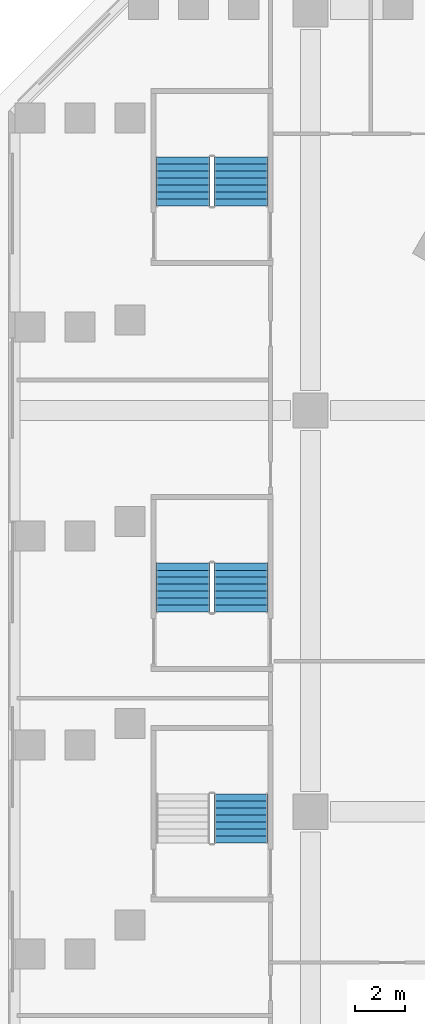
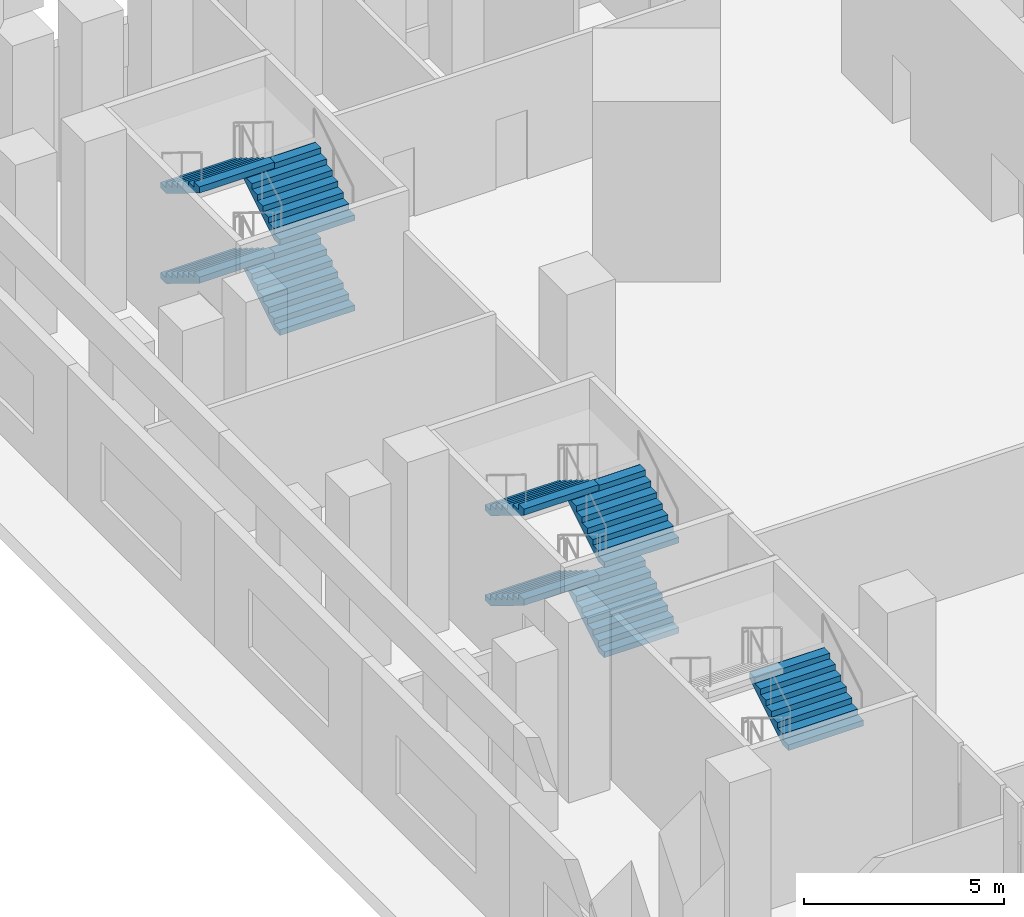
# One storey, part 14 of 22: 9 stair flights, 3 elements without a shape of their own.
"""IFC4 building model written with IfcOpenShell, lengths in metres."""

from ifc_helpers import new_model, si_unit, direction, frame, origin, place, context, subcontext, project, spatial, faceted_brep, source, transform, mapped, material, type_object, element, aggregate, save


model = new_model("IFC4")

# Units and contexts
model_context = context("Model", 3, precision=1e-05, world=origin(), true_north=direction((0.0, 1.0)))
body_context = subcontext(model_context, "Body", "Model", "MODEL_VIEW")
ifc_project = project(units=[si_unit("LENGTHUNIT", "METRE"), si_unit("AREAUNIT", "SQUARE_METRE"), si_unit("VOLUMEUNIT", "CUBIC_METRE"), si_unit("PLANEANGLEUNIT", "RADIAN"), si_unit("MASSUNIT", "GRAM", prefix="KILO")], contexts=[model_context])

# Site, building, storey
site_placement = place(None, origin())
site = spatial("IfcSite", under=ifc_project, at=site_placement, CompositionType="ELEMENT")
building_placement = place(site_placement, origin())
building = spatial("IfcBuilding", under=site, at=building_placement, Name="Calabash Gate Tower", CompositionType="ELEMENT")
storey_placement = place(building_placement, frame((0.0, 0.0, 29.0)))
storey = spatial("IfcBuildingStorey", under=building, at=storey_placement, Name="L03", CompositionType="ELEMENT", Elevation=29.0)

# Stair, stair flight
ifc_material_1 = material(Name="Concrete C40/50", Category="concrete")
stair_type = type_object("IfcStairType", Name="Public stair 32 risers of 171.9 mm", PredefinedType="HALF_TURN_STAIR", material=ifc_material_1)
stair_1_placement = place(storey_placement, origin())
stair_1 = element("IfcStair", 1, at=stair_1_placement, inside=storey, type_object=stair_type, Name="L03 Public Stair PS3", PredefinedType="HALF_TURN_STAIR")
ifc_material_2 = material(Name="Concrete C40/50", Category="concrete")
stair_flight_type = type_object("IfcStairFlightType", Name="Exit stair flight SFL", PredefinedType="STRAIGHT", material=ifc_material_2)
shared_shape = source(origin(), body_context, "Body", "Brep", [
    faceted_brep([(-0.0009765625, -1.080078125, 0.0), (0.285888671875, -1.080078125, 0.0), (1.9541015625, -1.080078125, 1.027099609375), (-0.0009765625, 1.080078125, 0.0), (1.9541015625, 1.080078125, 1.027099609375), (0.285888671875, 1.080078125, 0.0), (1.9541015625, -1.080078125, 1.215087890625), (1.952880859375, -1.080078125, 1.215087890625), (1.952880859375, 1.080078125, 1.215087890625), (1.9541015625, 1.080078125, 1.215087890625), (1.952880859375, -1.080078125, 1.203125), (1.952880859375, 1.080078125, 1.203125), (1.674072265625, -1.080078125, 1.203125), (1.674072265625, 1.080078125, 1.203125), (1.674072265625, -1.080078125, 1.03125), (1.674072265625, 1.080078125, 1.03125), (1.39501953125, -1.080078125, 1.03125), (1.39501953125, 1.080078125, 1.03125), (1.39501953125, -1.080078125, 0.859375), (1.39501953125, 1.080078125, 0.859375), (1.115966796875, -1.080078125, 0.859375), (1.115966796875, -1.080078125, 0.6875), (1.115966796875, 1.080078125, 0.6875), (1.115966796875, 1.080078125, 0.859375), (0.8369140625, -1.080078125, 0.6875), (0.8369140625, -1.080078125, 0.515625), (0.8369140625, 1.080078125, 0.515625), (0.8369140625, 1.080078125, 0.6875), (0.55810546875, -1.080078125, 0.515625), (0.55810546875, -1.080078125, 0.34375), (0.55810546875, 1.080078125, 0.34375), (0.55810546875, 1.080078125, 0.515625), (0.279052734375, -1.080078125, 0.34375), (0.279052734375, -1.080078125, 0.171875), (0.279052734375, 1.080078125, 0.171875), (0.279052734375, 1.080078125, 0.34375), (-0.0009765625, -1.080078125, 0.171875), (-0.0009765625, 1.080078125, 0.171875), (0.285888671875, -0.431884765625, 0.0), (1.9541015625, -0.431884765625, 1.027099609375), (0.285888671875, -0.370361328125, 0.0), (1.9541015625, -0.370361328125, 1.027099609375), (0.285888671875, -0.30859375, 0.0), (1.9541015625, -0.30859375, 1.027099609375), (0.285888671875, -0.246826171875, 0.0), (1.9541015625, -0.246826171875, 1.027099609375), (0.285888671875, -0.18505859375, 0.0), (1.9541015625, -0.18505859375, 1.027099609375), (0.285888671875, -0.12353515625, 0.0), (1.9541015625, -0.12353515625, 1.027099609375), (0.285888671875, -0.061767578125, 0.0), (1.9541015625, -0.061767578125, 1.027099609375), (0.285888671875, 0.0, 0.0), (1.9541015625, 0.0, 1.027099609375), (0.285888671875, 0.061767578125, 0.0), (1.9541015625, 0.061767578125, 1.027099609375), (0.285888671875, 0.12353515625, 0.0), (1.9541015625, 0.12353515625, 1.027099609375), (0.285888671875, 0.18505859375, 0.0), (1.9541015625, 0.18505859375, 1.027099609375), (0.285888671875, 0.246826171875, 0.0), (1.9541015625, 0.246826171875, 1.027099609375), (0.285888671875, 0.30859375, 0.0), (1.9541015625, 0.30859375, 1.027099609375), (0.285888671875, 0.370361328125, 0.0), (1.9541015625, 0.370361328125, 1.027099609375), (0.285888671875, 0.431884765625, 0.0), (1.9541015625, 0.431884765625, 1.027099609375), (1.9541015625, -0.431884765625, 1.215087890625), (1.9541015625, -0.370361328125, 1.215087890625), (1.9541015625, -0.30859375, 1.215087890625), (1.9541015625, -0.246826171875, 1.215087890625), (1.9541015625, -0.18505859375, 1.215087890625), (1.9541015625, -0.12353515625, 1.215087890625), (1.9541015625, -0.061767578125, 1.215087890625), (1.9541015625, 0.0, 1.215087890625), (1.9541015625, 0.061767578125, 1.215087890625), (1.9541015625, 0.12353515625, 1.215087890625), (1.9541015625, 0.18505859375, 1.215087890625), (1.9541015625, 0.246826171875, 1.215087890625), (1.9541015625, 0.30859375, 1.215087890625), (1.9541015625, 0.370361328125, 1.215087890625), (1.9541015625, 0.431884765625, 1.215087890625), (1.952880859375, -0.431884765625, 1.215087890625), (1.952880859375, -0.370361328125, 1.215087890625), (1.952880859375, -0.30859375, 1.215087890625), (1.952880859375, -0.246826171875, 1.215087890625), (1.952880859375, -0.18505859375, 1.215087890625), (1.952880859375, -0.12353515625, 1.215087890625), (1.952880859375, -0.061767578125, 1.215087890625), (1.952880859375, 0.0, 1.215087890625), (1.952880859375, 0.061767578125, 1.215087890625), (1.952880859375, 0.12353515625, 1.215087890625), (1.952880859375, 0.18505859375, 1.215087890625), (1.952880859375, 0.246826171875, 1.215087890625), (1.952880859375, 0.30859375, 1.215087890625), (1.952880859375, 0.370361328125, 1.215087890625), (1.952880859375, 0.431884765625, 1.215087890625), (1.952880859375, -0.431884765625, 1.203125), (1.952880859375, -0.370361328125, 1.203125), (1.952880859375, -0.30859375, 1.203125), (1.952880859375, -0.246826171875, 1.203125), (1.952880859375, -0.18505859375, 1.203125), (1.952880859375, -0.12353515625, 1.203125), (1.952880859375, -0.061767578125, 1.203125), (1.952880859375, 0.0, 1.203125), (1.952880859375, 0.061767578125, 1.203125), (1.952880859375, 0.12353515625, 1.203125), (1.952880859375, 0.18505859375, 1.203125), (1.952880859375, 0.246826171875, 1.203125), (1.952880859375, 0.30859375, 1.203125), (1.952880859375, 0.370361328125, 1.203125), (1.952880859375, 0.431884765625, 1.203125), (1.674072265625, -0.431884765625, 1.203125), (1.674072265625, -0.370361328125, 1.203125), (1.674072265625, -0.30859375, 1.203125), (1.674072265625, -0.246826171875, 1.203125), (1.674072265625, -0.18505859375, 1.203125), (1.674072265625, -0.12353515625, 1.203125), (1.674072265625, -0.061767578125, 1.203125), (1.674072265625, 0.0, 1.203125), (1.674072265625, 0.061767578125, 1.203125), (1.674072265625, 0.12353515625, 1.203125), (1.674072265625, 0.18505859375, 1.203125), (1.674072265625, 0.246826171875, 1.203125), (1.674072265625, 0.30859375, 1.203125), (1.674072265625, 0.370361328125, 1.203125), (1.674072265625, 0.431884765625, 1.203125), (1.674072265625, -0.431884765625, 1.03125), (1.674072265625, -0.370361328125, 1.03125), (1.674072265625, -0.30859375, 1.03125), (1.674072265625, -0.246826171875, 1.03125), (1.674072265625, -0.18505859375, 1.03125), (1.674072265625, -0.12353515625, 1.03125), (1.674072265625, -0.061767578125, 1.03125), (1.674072265625, 0.0, 1.03125), (1.674072265625, 0.061767578125, 1.03125), (1.674072265625, 0.12353515625, 1.03125), (1.674072265625, 0.18505859375, 1.03125), (1.674072265625, 0.246826171875, 1.03125), (1.674072265625, 0.30859375, 1.03125), (1.674072265625, 0.370361328125, 1.03125), (1.674072265625, 0.431884765625, 1.03125), (1.39501953125, -0.431884765625, 1.03125), (1.39501953125, -0.370361328125, 1.03125), (1.39501953125, -0.30859375, 1.03125), (1.39501953125, -0.246826171875, 1.03125), (1.39501953125, -0.18505859375, 1.03125), (1.39501953125, -0.12353515625, 1.03125), (1.39501953125, -0.061767578125, 1.03125), (1.39501953125, 0.0, 1.03125), (1.39501953125, 0.061767578125, 1.03125), (1.39501953125, 0.12353515625, 1.03125), (1.39501953125, 0.18505859375, 1.03125), (1.39501953125, 0.246826171875, 1.03125), (1.39501953125, 0.30859375, 1.03125), (1.39501953125, 0.370361328125, 1.03125), (1.39501953125, 0.431884765625, 1.03125), (1.39501953125, -0.431884765625, 0.859375), (1.39501953125, -0.370361328125, 0.859375), (1.39501953125, -0.30859375, 0.859375), (1.39501953125, -0.246826171875, 0.859375), (1.39501953125, -0.18505859375, 0.859375), (1.39501953125, -0.12353515625, 0.859375), (1.39501953125, -0.061767578125, 0.859375), (1.39501953125, 0.0, 0.859375), (1.39501953125, 0.061767578125, 0.859375), (1.39501953125, 0.12353515625, 0.859375), (1.39501953125, 0.18505859375, 0.859375), (1.39501953125, 0.246826171875, 0.859375), (1.39501953125, 0.30859375, 0.859375), (1.39501953125, 0.370361328125, 0.859375), (1.39501953125, 0.431884765625, 0.859375), (1.115966796875, -0.431884765625, 0.859375), (1.115966796875, -0.370361328125, 0.859375), (1.115966796875, -0.30859375, 0.859375), (1.115966796875, -0.246826171875, 0.859375), (1.115966796875, -0.18505859375, 0.859375), (1.115966796875, -0.12353515625, 0.859375), (1.115966796875, -0.061767578125, 0.859375), (1.115966796875, 0.0, 0.859375), (1.115966796875, 0.061767578125, 0.859375), (1.115966796875, 0.12353515625, 0.859375), (1.115966796875, 0.18505859375, 0.859375), (1.115966796875, 0.246826171875, 0.859375), (1.115966796875, 0.30859375, 0.859375), (1.115966796875, 0.370361328125, 0.859375), (1.115966796875, 0.431884765625, 0.859375), (1.115966796875, -0.431884765625, 0.6875), (1.115966796875, -0.370361328125, 0.6875), (1.115966796875, -0.30859375, 0.6875), (1.115966796875, -0.246826171875, 0.6875), (1.115966796875, -0.18505859375, 0.6875), (1.115966796875, -0.12353515625, 0.6875), (1.115966796875, -0.061767578125, 0.6875), (1.115966796875, 0.0, 0.6875), (1.115966796875, 0.061767578125, 0.6875), (1.115966796875, 0.12353515625, 0.6875), (1.115966796875, 0.18505859375, 0.6875), (1.115966796875, 0.246826171875, 0.6875), (1.115966796875, 0.30859375, 0.6875), (1.115966796875, 0.370361328125, 0.6875), (1.115966796875, 0.431884765625, 0.6875), (0.8369140625, -0.431884765625, 0.6875), (0.8369140625, -0.370361328125, 0.6875), (0.8369140625, -0.30859375, 0.6875), (0.8369140625, -0.246826171875, 0.6875), (0.8369140625, -0.18505859375, 0.6875), (0.8369140625, -0.12353515625, 0.6875), (0.8369140625, -0.061767578125, 0.6875), (0.8369140625, 0.0, 0.6875), (0.8369140625, 0.061767578125, 0.6875), (0.8369140625, 0.12353515625, 0.6875), (0.8369140625, 0.18505859375, 0.6875), (0.8369140625, 0.246826171875, 0.6875), (0.8369140625, 0.30859375, 0.6875), (0.8369140625, 0.370361328125, 0.6875), (0.8369140625, 0.431884765625, 0.6875), (0.8369140625, -0.431884765625, 0.515625), (0.8369140625, -0.370361328125, 0.515625), (0.8369140625, -0.30859375, 0.515625), (0.8369140625, -0.246826171875, 0.515625), (0.8369140625, -0.18505859375, 0.515625), (0.8369140625, -0.12353515625, 0.515625), (0.8369140625, -0.061767578125, 0.515625), (0.8369140625, 0.0, 0.515625), (0.8369140625, 0.061767578125, 0.515625), (0.8369140625, 0.12353515625, 0.515625), (0.8369140625, 0.18505859375, 0.515625), (0.8369140625, 0.246826171875, 0.515625), (0.8369140625, 0.30859375, 0.515625), (0.8369140625, 0.370361328125, 0.515625), (0.8369140625, 0.431884765625, 0.515625), (0.55810546875, -0.431884765625, 0.515625), (0.55810546875, -0.370361328125, 0.515625), (0.55810546875, -0.30859375, 0.515625), (0.55810546875, -0.246826171875, 0.515625), (0.55810546875, -0.18505859375, 0.515625), (0.55810546875, -0.12353515625, 0.515625), (0.55810546875, -0.061767578125, 0.515625), (0.55810546875, 0.0, 0.515625), (0.55810546875, 0.061767578125, 0.515625), (0.55810546875, 0.12353515625, 0.515625), (0.55810546875, 0.18505859375, 0.515625), (0.55810546875, 0.246826171875, 0.515625), (0.55810546875, 0.30859375, 0.515625), (0.55810546875, 0.370361328125, 0.515625), (0.55810546875, 0.431884765625, 0.515625), (0.55810546875, -0.431884765625, 0.34375), (0.55810546875, -0.370361328125, 0.34375), (0.55810546875, -0.30859375, 0.34375), (0.55810546875, -0.246826171875, 0.34375), (0.55810546875, -0.18505859375, 0.34375), (0.55810546875, -0.12353515625, 0.34375), (0.55810546875, -0.061767578125, 0.34375), (0.55810546875, 0.0, 0.34375), (0.55810546875, 0.061767578125, 0.34375), (0.55810546875, 0.12353515625, 0.34375), (0.55810546875, 0.18505859375, 0.34375), (0.55810546875, 0.246826171875, 0.34375), (0.55810546875, 0.30859375, 0.34375), (0.55810546875, 0.370361328125, 0.34375), (0.55810546875, 0.431884765625, 0.34375), (0.279052734375, -0.431884765625, 0.34375), (0.279052734375, -0.370361328125, 0.34375), (0.279052734375, -0.30859375, 0.34375), (0.279052734375, -0.246826171875, 0.34375), (0.279052734375, -0.18505859375, 0.34375), (0.279052734375, -0.12353515625, 0.34375), (0.279052734375, -0.061767578125, 0.34375), (0.279052734375, 0.0, 0.34375), (0.279052734375, 0.061767578125, 0.34375), (0.279052734375, 0.12353515625, 0.34375), (0.279052734375, 0.18505859375, 0.34375), (0.279052734375, 0.246826171875, 0.34375), (0.279052734375, 0.30859375, 0.34375), (0.279052734375, 0.370361328125, 0.34375), (0.279052734375, 0.431884765625, 0.34375), (0.279052734375, -0.431884765625, 0.171875), (0.279052734375, -0.370361328125, 0.171875), (0.279052734375, -0.30859375, 0.171875), (0.279052734375, -0.246826171875, 0.171875), (0.279052734375, -0.18505859375, 0.171875), (0.279052734375, -0.12353515625, 0.171875), (0.279052734375, -0.061767578125, 0.171875), (0.279052734375, 0.0, 0.171875), (0.279052734375, 0.061767578125, 0.171875), (0.279052734375, 0.12353515625, 0.171875), (0.279052734375, 0.18505859375, 0.171875), (0.279052734375, 0.246826171875, 0.171875), (0.279052734375, 0.30859375, 0.171875), (0.279052734375, 0.370361328125, 0.171875), (0.279052734375, 0.431884765625, 0.171875), (-0.0009765625, -0.431884765625, 0.171875), (-0.0009765625, -0.370361328125, 0.171875), (-0.0009765625, -0.30859375, 0.171875), (-0.0009765625, -0.246826171875, 0.171875), (-0.0009765625, -0.18505859375, 0.171875), (-0.0009765625, -0.12353515625, 0.171875), (-0.0009765625, -0.061767578125, 0.171875), (-0.0009765625, 0.0, 0.171875), (-0.0009765625, 0.061767578125, 0.171875), (-0.0009765625, 0.12353515625, 0.171875), (-0.0009765625, 0.18505859375, 0.171875), (-0.0009765625, 0.246826171875, 0.171875), (-0.0009765625, 0.30859375, 0.171875), (-0.0009765625, 0.370361328125, 0.171875), (-0.0009765625, 0.431884765625, 0.171875), (-0.0009765625, -0.431884765625, 0.0), (-0.0009765625, -0.370361328125, 0.0), (-0.0009765625, -0.30859375, 0.0), (-0.0009765625, -0.246826171875, 0.0), (-0.0009765625, -0.18505859375, 0.0), (-0.0009765625, -0.12353515625, 0.0), (-0.0009765625, -0.061767578125, 0.0), (-0.0009765625, 0.0, 0.0), (-0.0009765625, 0.061767578125, 0.0), (-0.0009765625, 0.12353515625, 0.0), (-0.0009765625, 0.18505859375, 0.0), (-0.0009765625, 0.246826171875, 0.0), (-0.0009765625, 0.30859375, 0.0), (-0.0009765625, 0.370361328125, 0.0), (-0.0009765625, 0.431884765625, 0.0)], [[[0, 1, 2]], [[3, 4, 5]], [[2, 6, 7]], [[4, 8, 9]], [[2, 7, 10]], [[4, 11, 8]], [[2, 10, 12]], [[4, 13, 11]], [[2, 12, 14]], [[4, 15, 13]], [[2, 14, 16]], [[4, 17, 15]], [[2, 16, 18]], [[4, 19, 17]], [[18, 20, 21]], [[19, 22, 23]], [[2, 18, 21]], [[4, 22, 19]], [[21, 24, 25]], [[22, 26, 27]], [[2, 21, 25]], [[4, 26, 22]], [[25, 28, 29]], [[26, 30, 31]], [[2, 25, 29]], [[4, 30, 26]], [[29, 32, 33]], [[30, 34, 35]], [[2, 29, 33]], [[4, 34, 30]], [[0, 2, 33]], [[3, 34, 4]], [[33, 36, 0]], [[34, 3, 37]], [[1, 38, 2]], [[38, 39, 2]], [[38, 40, 39]], [[40, 41, 39]], [[40, 42, 41]], [[42, 43, 41]], [[42, 44, 43]], [[44, 45, 43]], [[44, 46, 45]], [[46, 47, 45]], [[46, 48, 47]], [[48, 49, 47]], [[48, 50, 49]], [[50, 51, 49]], [[50, 52, 51]], [[52, 53, 51]], [[52, 54, 55]], [[52, 55, 53]], [[54, 56, 57]], [[54, 57, 55]], [[56, 58, 59]], [[56, 59, 57]], [[58, 60, 61]], [[58, 61, 59]], [[60, 62, 63]], [[60, 63, 61]], [[62, 64, 65]], [[62, 65, 63]], [[64, 66, 67]], [[64, 67, 65]], [[66, 5, 4]], [[66, 4, 67]], [[2, 39, 6]], [[39, 68, 6]], [[39, 41, 68]], [[41, 69, 68]], [[41, 43, 69]], [[43, 70, 69]], [[43, 45, 70]], [[45, 71, 70]], [[45, 47, 71]], [[47, 72, 71]], [[47, 49, 72]], [[49, 73, 72]], [[49, 51, 73]], [[51, 74, 73]], [[51, 53, 74]], [[53, 75, 74]], [[53, 55, 76]], [[53, 76, 75]], [[55, 57, 77]], [[55, 77, 76]], [[57, 59, 78]], [[57, 78, 77]], [[59, 61, 79]], [[59, 79, 78]], [[61, 63, 80]], [[61, 80, 79]], [[63, 65, 81]], [[63, 81, 80]], [[65, 67, 82]], [[65, 82, 81]], [[67, 4, 9]], [[67, 9, 82]], [[6, 68, 7]], [[68, 83, 7]], [[68, 69, 83]], [[69, 84, 83]], [[69, 70, 84]], [[70, 85, 84]], [[70, 71, 85]], [[71, 86, 85]], [[71, 72, 86]], [[72, 87, 86]], [[72, 73, 87]], [[73, 88, 87]], [[73, 74, 88]], [[74, 89, 88]], [[74, 75, 89]], [[75, 90, 89]], [[75, 76, 91]], [[75, 91, 90]], [[76, 77, 92]], [[76, 92, 91]], [[77, 78, 93]], [[77, 93, 92]], [[78, 79, 94]], [[78, 94, 93]], [[79, 80, 95]], [[79, 95, 94]], [[80, 81, 96]], [[80, 96, 95]], [[81, 82, 97]], [[81, 97, 96]], [[82, 9, 8]], [[82, 8, 97]], [[7, 83, 10]], [[83, 98, 10]], [[83, 84, 98]], [[84, 99, 98]], [[84, 85, 99]], [[85, 100, 99]], [[85, 86, 100]], [[86, 101, 100]], [[86, 87, 101]], [[87, 102, 101]], [[87, 88, 102]], [[88, 103, 102]], [[88, 89, 103]], [[89, 104, 103]], [[89, 90, 104]], [[90, 105, 104]], [[90, 91, 106]], [[90, 106, 105]], [[91, 92, 107]], [[91, 107, 106]], [[92, 93, 108]], [[92, 108, 107]], [[93, 94, 109]], [[93, 109, 108]], [[94, 95, 110]], [[94, 110, 109]], [[95, 96, 111]], [[95, 111, 110]], [[96, 97, 112]], [[96, 112, 111]], [[97, 8, 11]], [[97, 11, 112]], [[10, 98, 12]], [[98, 113, 12]], [[98, 99, 113]], [[99, 114, 113]], [[99, 100, 114]], [[100, 115, 114]], [[100, 101, 115]], [[101, 116, 115]], [[101, 102, 116]], [[102, 117, 116]], [[102, 103, 117]], [[103, 118, 117]], [[103, 104, 118]], [[104, 119, 118]], [[104, 105, 119]], [[105, 120, 119]], [[105, 106, 121]], [[105, 121, 120]], [[106, 107, 122]], [[106, 122, 121]], [[107, 108, 123]], [[107, 123, 122]], [[108, 109, 124]], [[108, 124, 123]], [[109, 110, 125]], [[109, 125, 124]], [[110, 111, 126]], [[110, 126, 125]], [[111, 112, 127]], [[111, 127, 126]], [[112, 11, 13]], [[112, 13, 127]], [[12, 113, 14]], [[113, 128, 14]], [[113, 114, 128]], [[114, 129, 128]], [[114, 115, 129]], [[115, 130, 129]], [[115, 116, 130]], [[116, 131, 130]], [[116, 117, 131]], [[117, 132, 131]], [[117, 118, 132]], [[118, 133, 132]], [[118, 119, 133]], [[119, 134, 133]], [[119, 120, 134]], [[120, 135, 134]], [[120, 121, 136]], [[120, 136, 135]], [[121, 122, 137]], [[121, 137, 136]], [[122, 123, 138]], [[122, 138, 137]], [[123, 124, 139]], [[123, 139, 138]], [[124, 125, 140]], [[124, 140, 139]], [[125, 126, 141]], [[125, 141, 140]], [[126, 127, 142]], [[126, 142, 141]], [[127, 13, 15]], [[127, 15, 142]], [[14, 128, 16]], [[128, 143, 16]], [[128, 129, 143]], [[129, 144, 143]], [[129, 130, 144]], [[130, 145, 144]], [[130, 131, 145]], [[131, 146, 145]], [[131, 132, 146]], [[132, 147, 146]], [[132, 133, 147]], [[133, 148, 147]], [[133, 134, 148]], [[134, 149, 148]], [[134, 135, 149]], [[135, 150, 149]], [[135, 136, 151]], [[135, 151, 150]], [[136, 137, 152]], [[136, 152, 151]], [[137, 138, 153]], [[137, 153, 152]], [[138, 139, 154]], [[138, 154, 153]], [[139, 140, 155]], [[139, 155, 154]], [[140, 141, 156]], [[140, 156, 155]], [[141, 142, 157]], [[141, 157, 156]], [[142, 15, 17]], [[142, 17, 157]], [[16, 143, 18]], [[143, 158, 18]], [[143, 144, 158]], [[144, 159, 158]], [[144, 145, 159]], [[145, 160, 159]], [[145, 146, 160]], [[146, 161, 160]], [[146, 147, 161]], [[147, 162, 161]], [[147, 148, 162]], [[148, 163, 162]], [[148, 149, 163]], [[149, 164, 163]], [[149, 150, 164]], [[150, 165, 164]], [[150, 151, 166]], [[150, 166, 165]], [[151, 152, 167]], [[151, 167, 166]], [[152, 153, 168]], [[152, 168, 167]], [[153, 154, 169]], [[153, 169, 168]], [[154, 155, 170]], [[154, 170, 169]], [[155, 156, 171]], [[155, 171, 170]], [[156, 157, 172]], [[156, 172, 171]], [[157, 17, 19]], [[157, 19, 172]], [[18, 158, 20]], [[158, 173, 20]], [[158, 159, 173]], [[159, 174, 173]], [[159, 160, 174]], [[160, 175, 174]], [[160, 161, 175]], [[161, 176, 175]], [[161, 162, 176]], [[162, 177, 176]], [[162, 163, 177]], [[163, 178, 177]], [[163, 164, 178]], [[164, 179, 178]], [[164, 165, 179]], [[165, 180, 179]], [[165, 166, 181]], [[165, 181, 180]], [[166, 167, 182]], [[166, 182, 181]], [[167, 168, 183]], [[167, 183, 182]], [[168, 169, 184]], [[168, 184, 183]], [[169, 170, 185]], [[169, 185, 184]], [[170, 171, 186]], [[170, 186, 185]], [[171, 172, 187]], [[171, 187, 186]], [[172, 19, 23]], [[172, 23, 187]], [[20, 173, 21]], [[173, 188, 21]], [[173, 174, 188]], [[174, 189, 188]], [[174, 175, 189]], [[175, 190, 189]], [[175, 176, 190]], [[176, 191, 190]], [[176, 177, 191]], [[177, 192, 191]], [[177, 178, 192]], [[178, 193, 192]], [[178, 179, 193]], [[179, 194, 193]], [[179, 180, 194]], [[180, 195, 194]], [[180, 181, 196]], [[180, 196, 195]], [[181, 182, 197]], [[181, 197, 196]], [[182, 183, 198]], [[182, 198, 197]], [[183, 184, 199]], [[183, 199, 198]], [[184, 185, 200]], [[184, 200, 199]], [[185, 186, 201]], [[185, 201, 200]], [[186, 187, 202]], [[186, 202, 201]], [[187, 23, 22]], [[187, 22, 202]], [[21, 188, 24]], [[188, 203, 24]], [[188, 189, 203]], [[189, 204, 203]], [[189, 190, 204]], [[190, 205, 204]], [[190, 191, 205]], [[191, 206, 205]], [[191, 192, 206]], [[192, 207, 206]], [[192, 193, 207]], [[193, 208, 207]], [[193, 194, 208]], [[194, 209, 208]], [[194, 195, 209]], [[195, 210, 209]], [[195, 196, 211]], [[195, 211, 210]], [[196, 197, 212]], [[196, 212, 211]], [[197, 198, 213]], [[197, 213, 212]], [[198, 199, 214]], [[198, 214, 213]], [[199, 200, 215]], [[199, 215, 214]], [[200, 201, 216]], [[200, 216, 215]], [[201, 202, 217]], [[201, 217, 216]], [[202, 22, 27]], [[202, 27, 217]], [[24, 203, 25]], [[203, 218, 25]], [[203, 204, 218]], [[204, 219, 218]], [[204, 205, 219]], [[205, 220, 219]], [[205, 206, 220]], [[206, 221, 220]], [[206, 207, 221]], [[207, 222, 221]], [[207, 208, 222]], [[208, 223, 222]], [[208, 209, 223]], [[209, 224, 223]], [[209, 210, 224]], [[210, 225, 224]], [[210, 211, 226]], [[210, 226, 225]], [[211, 212, 227]], [[211, 227, 226]], [[212, 213, 228]], [[212, 228, 227]], [[213, 214, 229]], [[213, 229, 228]], [[214, 215, 230]], [[214, 230, 229]], [[215, 216, 231]], [[215, 231, 230]], [[216, 217, 232]], [[216, 232, 231]], [[217, 27, 26]], [[217, 26, 232]], [[25, 218, 28]], [[218, 233, 28]], [[218, 219, 233]], [[219, 234, 233]], [[219, 220, 234]], [[220, 235, 234]], [[220, 221, 235]], [[221, 236, 235]], [[221, 222, 236]], [[222, 237, 236]], [[222, 223, 237]], [[223, 238, 237]], [[223, 224, 238]], [[224, 239, 238]], [[224, 225, 239]], [[225, 240, 239]], [[225, 226, 241]], [[225, 241, 240]], [[226, 227, 242]], [[226, 242, 241]], [[227, 228, 243]], [[227, 243, 242]], [[228, 229, 244]], [[228, 244, 243]], [[229, 230, 245]], [[229, 245, 244]], [[230, 231, 246]], [[230, 246, 245]], [[231, 232, 247]], [[231, 247, 246]], [[232, 26, 31]], [[232, 31, 247]], [[28, 233, 29]], [[233, 248, 29]], [[233, 234, 248]], [[234, 249, 248]], [[234, 235, 249]], [[235, 250, 249]], [[235, 236, 250]], [[236, 251, 250]], [[236, 237, 251]], [[237, 252, 251]], [[237, 238, 252]], [[238, 253, 252]], [[238, 239, 253]], [[239, 254, 253]], [[239, 240, 254]], [[240, 255, 254]], [[240, 241, 256]], [[240, 256, 255]], [[241, 242, 257]], [[241, 257, 256]], [[242, 243, 258]], [[242, 258, 257]], [[243, 244, 259]], [[243, 259, 258]], [[244, 245, 260]], [[244, 260, 259]], [[245, 246, 261]], [[245, 261, 260]], [[246, 247, 262]], [[246, 262, 261]], [[247, 31, 30]], [[247, 30, 262]], [[29, 248, 32]], [[248, 263, 32]], [[248, 249, 263]], [[249, 264, 263]], [[249, 250, 264]], [[250, 265, 264]], [[250, 251, 265]], [[251, 266, 265]], [[251, 252, 266]], [[252, 267, 266]], [[252, 253, 267]], [[253, 268, 267]], [[253, 254, 268]], [[254, 269, 268]], [[254, 255, 269]], [[255, 270, 269]], [[255, 256, 271]], [[255, 271, 270]], [[256, 257, 272]], [[256, 272, 271]], [[257, 258, 273]], [[257, 273, 272]], [[258, 259, 274]], [[258, 274, 273]], [[259, 260, 275]], [[259, 275, 274]], [[260, 261, 276]], [[260, 276, 275]], [[261, 262, 277]], [[261, 277, 276]], [[262, 30, 35]], [[262, 35, 277]], [[32, 263, 33]], [[263, 278, 33]], [[263, 264, 278]], [[264, 279, 278]], [[264, 265, 279]], [[265, 280, 279]], [[265, 266, 280]], [[266, 281, 280]], [[266, 267, 281]], [[267, 282, 281]], [[267, 268, 282]], [[268, 283, 282]], [[268, 269, 283]], [[269, 284, 283]], [[269, 270, 284]], [[270, 285, 284]], [[270, 271, 286]], [[270, 286, 285]], [[271, 272, 287]], [[271, 287, 286]], [[272, 273, 288]], [[272, 288, 287]], [[273, 274, 289]], [[273, 289, 288]], [[274, 275, 290]], [[274, 290, 289]], [[275, 276, 291]], [[275, 291, 290]], [[276, 277, 292]], [[276, 292, 291]], [[277, 35, 34]], [[277, 34, 292]], [[33, 278, 36]], [[278, 293, 36]], [[278, 279, 293]], [[279, 294, 293]], [[279, 280, 294]], [[280, 295, 294]], [[280, 281, 295]], [[281, 296, 295]], [[281, 282, 296]], [[282, 297, 296]], [[282, 283, 297]], [[283, 298, 297]], [[283, 284, 298]], [[284, 299, 298]], [[284, 285, 299]], [[285, 300, 299]], [[285, 286, 301]], [[285, 301, 300]], [[286, 287, 302]], [[286, 302, 301]], [[287, 288, 303]], [[287, 303, 302]], [[288, 289, 304]], [[288, 304, 303]], [[289, 290, 305]], [[289, 305, 304]], [[290, 291, 306]], [[290, 306, 305]], [[291, 292, 307]], [[291, 307, 306]], [[292, 34, 37]], [[292, 37, 307]], [[36, 293, 0]], [[293, 308, 0]], [[293, 294, 308]], [[294, 309, 308]], [[294, 295, 309]], [[295, 310, 309]], [[295, 296, 310]], [[296, 311, 310]], [[296, 297, 311]], [[297, 312, 311]], [[297, 298, 312]], [[298, 313, 312]], [[298, 299, 313]], [[299, 314, 313]], [[299, 300, 314]], [[300, 315, 314]], [[300, 301, 316]], [[300, 316, 315]], [[301, 302, 317]], [[301, 317, 316]], [[302, 303, 318]], [[302, 318, 317]], [[303, 304, 319]], [[303, 319, 318]], [[304, 305, 320]], [[304, 320, 319]], [[305, 306, 321]], [[305, 321, 320]], [[306, 307, 322]], [[306, 322, 321]], [[307, 37, 3]], [[307, 3, 322]], [[0, 308, 1]], [[308, 38, 1]], [[308, 309, 38]], [[309, 40, 38]], [[309, 310, 40]], [[310, 42, 40]], [[310, 311, 42]], [[311, 44, 42]], [[311, 312, 44]], [[312, 46, 44]], [[312, 313, 46]], [[313, 48, 46]], [[313, 314, 48]], [[314, 50, 48]], [[314, 315, 50]], [[315, 52, 50]], [[315, 316, 54]], [[315, 54, 52]], [[316, 317, 56]], [[316, 56, 54]], [[317, 318, 58]], [[317, 58, 56]], [[318, 319, 60]], [[318, 60, 58]], [[319, 320, 62]], [[319, 62, 60]], [[320, 321, 64]], [[320, 64, 62]], [[321, 322, 66]], [[321, 66, 64]], [[322, 3, 5]], [[322, 5, 66]]]),
])
stair_flight_1_placement = place(storey_placement, frame((-34.780029296875, -9.239990234375, 2.75), z_axis=(0.0, 0.0, 1.0), x_axis=(0.0, 1.0, 0.0)))
stair_flight_1 = element("IfcStairFlight", 2, at=stair_flight_1_placement, type_object=stair_flight_type, Name="PS3 flight 3", NumberOfRisers=8, NumberOfTreads=7, PredefinedType="STRAIGHT", RiserHeight=0.171875, TreadLength=0.279, context=body_context, shape_type="MappedRepresentation", body=[
    mapped(shared_shape, transform((0.0, 0.0, 0.0), scale=1.0)),
])
aggregate(stair_1, [stair_flight_1])

# Stair, stair flights
stair_2_placement = place(storey_placement, origin())
stair_2 = element("IfcStair", 3, at=stair_2_placement, inside=storey, type_object=stair_type, Name="L03 Public Stair PS4", PredefinedType="HALF_TURN_STAIR")
stair_flight_2_placement = place(storey_placement, frame((-34.780029296875, -0.0400390625, 0.0), z_axis=(0.0, 0.0, 1.0), x_axis=(0.0, 1.0, 0.0)))
stair_flight_2 = element("IfcStairFlight", 4, at=stair_flight_2_placement, type_object=stair_flight_type, Name="PS4 flight 1", NumberOfRisers=8, NumberOfTreads=7, PredefinedType="STRAIGHT", RiserHeight=0.171875, TreadLength=0.279, context=body_context, shape_type="MappedRepresentation", body=[
    mapped(shared_shape, transform((0.0, 0.0, 0.0), scale=1.0)),
])
stair_flight_3_placement = place(storey_placement, frame((-37.090087890625, 1.9130859375, 1.375), z_axis=(0.0, 0.0, 1.0), x_axis=(0.0, -1.0, 0.0)))
stair_flight_3 = element("IfcStairFlight", 5, at=stair_flight_3_placement, type_object=stair_flight_type, Name="PS4 flight 2", NumberOfRisers=8, NumberOfTreads=7, PredefinedType="STRAIGHT", RiserHeight=0.171875, TreadLength=0.279, context=body_context, shape_type="MappedRepresentation", body=[
    mapped(shared_shape, transform((0.0, 0.0, 0.0), scale=1.0)),
])
stair_flight_4_placement = place(storey_placement, frame((-34.780029296875, -0.0400390625, 2.75), z_axis=(0.0, 0.0, 1.0), x_axis=(0.0, 1.0, 0.0)))
stair_flight_4 = element("IfcStairFlight", 6, at=stair_flight_4_placement, type_object=stair_flight_type, Name="PS4 flight 3", NumberOfRisers=8, NumberOfTreads=7, PredefinedType="STRAIGHT", RiserHeight=0.171875, TreadLength=0.279, context=body_context, shape_type="MappedRepresentation", body=[
    mapped(shared_shape, transform((0.0, 0.0, 0.0), scale=1.0)),
])
stair_flight_5_placement = place(storey_placement, frame((-37.090087890625, 1.9130859375, 4.125), z_axis=(0.0, 0.0, 1.0), x_axis=(0.0, -1.0, 0.0)))
stair_flight_5 = element("IfcStairFlight", 7, at=stair_flight_5_placement, type_object=stair_flight_type, Name="PS4 flight 4", NumberOfRisers=8, NumberOfTreads=7, PredefinedType="STRAIGHT", RiserHeight=0.171875, TreadLength=0.279, context=body_context, shape_type="MappedRepresentation", body=[
    mapped(shared_shape, transform((0.0, 0.0, 0.0), scale=1.0)),
])
aggregate(stair_2, [stair_flight_2, stair_flight_3, stair_flight_4, stair_flight_5])

stair_3_placement = place(storey_placement, origin())
stair_3 = element("IfcStair", 8, at=stair_3_placement, inside=storey, type_object=stair_type, Name="L03 Public Stair PS5", PredefinedType="HALF_TURN_STAIR")
stair_flight_6_placement = place(storey_placement, frame((-34.780029296875, 16.159912109375, 0.0), z_axis=(0.0, 0.0, 1.0), x_axis=(0.0, 1.0, 0.0)))
stair_flight_6 = element("IfcStairFlight", 9, at=stair_flight_6_placement, type_object=stair_flight_type, Name="PS5 flight 1", NumberOfRisers=8, NumberOfTreads=7, PredefinedType="STRAIGHT", RiserHeight=0.171875, TreadLength=0.279, context=body_context, shape_type="MappedRepresentation", body=[
    mapped(shared_shape, transform((0.0, 0.0, 0.0), scale=1.0)),
])
stair_flight_7_placement = place(storey_placement, frame((-37.090087890625, 18.113037109375, 1.375), z_axis=(0.0, 0.0, 1.0), x_axis=(0.0, -1.0, 0.0)))
stair_flight_7 = element("IfcStairFlight", 10, at=stair_flight_7_placement, type_object=stair_flight_type, Name="PS5 flight 2", NumberOfRisers=8, NumberOfTreads=7, PredefinedType="STRAIGHT", RiserHeight=0.171875, TreadLength=0.279, context=body_context, shape_type="MappedRepresentation", body=[
    mapped(shared_shape, transform((0.0, 0.0, 0.0), scale=1.0)),
])
stair_flight_8_placement = place(storey_placement, frame((-34.780029296875, 16.159912109375, 2.75), z_axis=(0.0, 0.0, 1.0), x_axis=(0.0, 1.0, 0.0)))
stair_flight_8 = element("IfcStairFlight", 11, at=stair_flight_8_placement, type_object=stair_flight_type, Name="PS5 flight 3", NumberOfRisers=8, NumberOfTreads=7, PredefinedType="STRAIGHT", RiserHeight=0.171875, TreadLength=0.279, context=body_context, shape_type="MappedRepresentation", body=[
    mapped(shared_shape, transform((0.0, 0.0, 0.0), scale=1.0)),
])
stair_flight_9_placement = place(storey_placement, frame((-37.090087890625, 18.113037109375, 4.125), z_axis=(0.0, 0.0, 1.0), x_axis=(0.0, -1.0, 0.0)))
stair_flight_9 = element("IfcStairFlight", 12, at=stair_flight_9_placement, type_object=stair_flight_type, Name="PS5 flight 4", NumberOfRisers=8, NumberOfTreads=7, PredefinedType="STRAIGHT", RiserHeight=0.171875, TreadLength=0.279, context=body_context, shape_type="MappedRepresentation", body=[
    mapped(shared_shape, transform((0.0, 0.0, 0.0), scale=1.0)),
])
aggregate(stair_3, [stair_flight_6, stair_flight_7, stair_flight_8, stair_flight_9])

save(model, "model.ifc")
